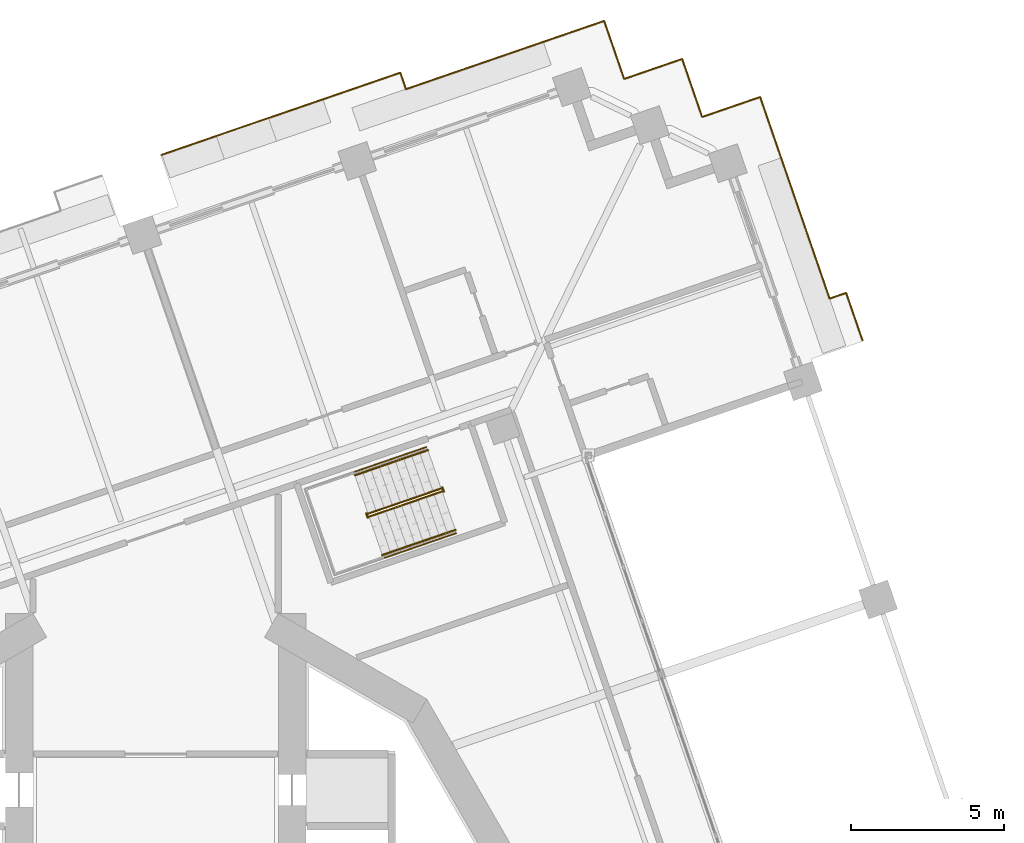
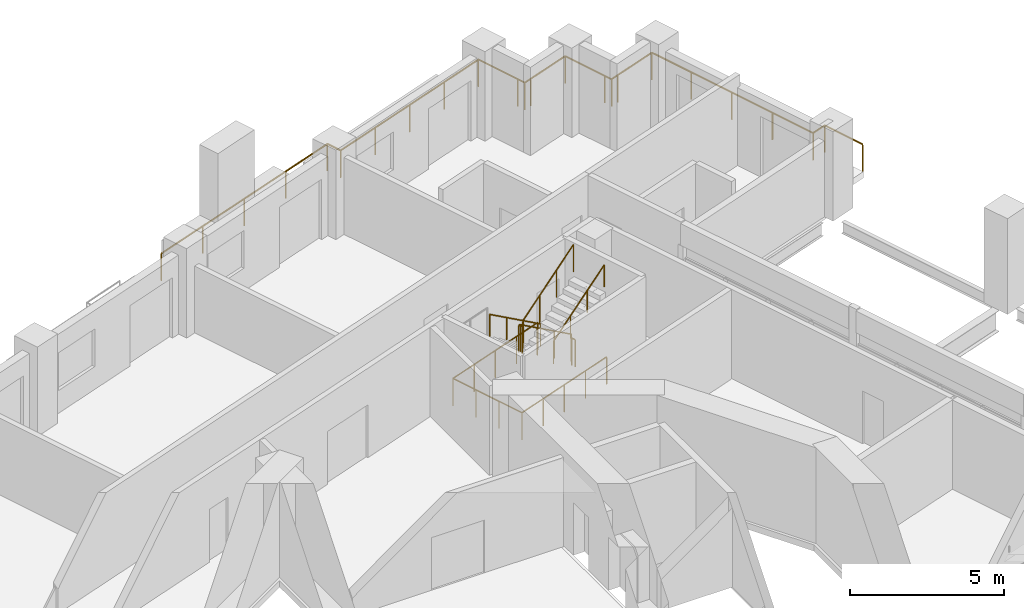
# One storey, part 18 of 19: 8 railings.
"""IFC4 building model written with IfcOpenShell, lengths in metres."""

import ifcopenshell
import ifcopenshell.guid

model = None  # the IFC model being written
_history = None  # IfcOwnerHistory: only IFC2X3 demands one
_inside = {}  # id of a spatial element -> (the spatial element, [elements in it])
_under = {}  # id of a project, library or spatial element -> (it, [spatial elements below it])
_declared = {}  # id of a project -> (the project, [libraries it declares])
_typed = {}  # id of a type object -> (the type object, [elements of that type])
_made_of = {}  # id of a material, layer set ... -> (it, [elements and type objects made of it])


def new_model(schema):
    """Start an empty IFC model of exactly this schema.

    Asked for "IFC4X3", IfcOpenShell would pick the latest addendum, in which some entities
    have other attributes; the version numbers below select the first issue.
    IFC2X3 requires an IfcOwnerHistory on every rooted entity: one is made here for all.
    """
    global model, _history
    if schema == "IFC4X3":
        model = ifcopenshell.file(schema_version=(4, 3, 0, 0))
    else:
        model = ifcopenshell.file(schema=schema)
    _inside.clear()
    _under.clear()
    _declared.clear()
    _typed.clear()
    _made_of.clear()
    _history = None
    if model.schema == "IFC2X3":
        org = make("IfcOrganization", Name="unknown")
        user = make(
            "IfcPersonAndOrganization",
            ThePerson=make("IfcPerson", FamilyName="unknown"),
            TheOrganization=org,
        )
        app = make(
            "IfcApplication",
            ApplicationDeveloper=org,
            Version="unknown",
            ApplicationFullName="unknown",
            ApplicationIdentifier="unknown",
        )
        _history = make(
            "IfcOwnerHistory",
            OwningUser=user,
            OwningApplication=app,
            ChangeAction="ADDED",
            CreationDate=0,
        )
    return model


def make(cls, **values):
    """One entity of the class cls with the attributes given. An attribute that is None is left unset."""
    return model.create_entity(
        cls, **{name: value for name, value in values.items() if value is not None}
    )


def rooted(cls, **values):
    """An entity with a GlobalId (a new one), such as an element, a storey or a relation."""
    return make(cls, GlobalId=ifcopenshell.guid.new(), OwnerHistory=_history, **values)


def si_unit(unit_type, name, prefix=None):
    """IfcSIUnit, for example si_unit("LENGTHUNIT", "METRE", prefix="MILLI")."""
    return make("IfcSIUnit", UnitType=unit_type, Prefix=prefix, Name=name)


def assignment(units):
    """IfcUnitAssignment: the units of a project."""
    return None if units is None else make("IfcUnitAssignment", Units=units)


def point(xyz):
    """IfcCartesianPoint."""
    return None if xyz is None else make("IfcCartesianPoint", Coordinates=xyz)


def direction(xyz):
    """IfcDirection."""
    return None if xyz is None else make("IfcDirection", DirectionRatios=xyz)


def frame(location, z_axis=None, x_axis=None):
    """IfcAxis2Placement3D, a coordinate frame: its origin and axes. An axis left out is left unset."""
    return make(
        "IfcAxis2Placement3D",
        Location=point(location),
        Axis=direction(z_axis),
        RefDirection=direction(x_axis),
    )


def frame_2d(location, x_axis=None):
    """IfcAxis2Placement2D, a coordinate frame in the plane: its origin and x axis."""
    return make(
        "IfcAxis2Placement2D", Location=point(location), RefDirection=direction(x_axis)
    )


def origin():
    """The frame at (0, 0, 0) with its axes left unset."""
    return frame((0.0, 0.0, 0.0))


def origin_2d():
    """The frame at (0, 0) in the plane with its x axis left unset."""
    return frame_2d((0.0, 0.0))


def place(relative_to, where):
    """IfcLocalPlacement: puts the frame where relative to a parent placement (None: the world)."""
    return make(
        "IfcLocalPlacement", PlacementRelTo=relative_to, RelativePlacement=where
    )


def context(
    kind, dimensions, precision=None, world=None, true_north=None, identifier=None
):
    """IfcGeometricRepresentationContext, for example the 3D "Model" context."""
    return make(
        "IfcGeometricRepresentationContext",
        ContextIdentifier=identifier,
        ContextType=kind,
        CoordinateSpaceDimension=dimensions,
        Precision=precision,
        WorldCoordinateSystem=world,
        TrueNorth=true_north,
    )


def subcontext(parent, identifier, kind, view, scale=None):
    """IfcGeometricRepresentationSubContext, for example "Body" below "Model"."""
    return make(
        "IfcGeometricRepresentationSubContext",
        ContextIdentifier=identifier,
        ContextType=kind,
        ParentContext=parent,
        TargetScale=scale,
        TargetView=view,
    )


def project(units=None, contexts=None):
    """IfcProject with its units and contexts."""
    return rooted(
        "IfcProject",
        Name="project",
        RepresentationContexts=contexts,
        UnitsInContext=assignment(units),
    )


def spatial(cls, under=None, at=None, **own):
    """A site, building, storey or space (cls), placed at a placement, below another one or the project."""
    s = rooted(cls, ObjectPlacement=at, **own)
    if under is not None:
        _under.setdefault(under.id(), (under, []))[1].append(s)
    return s


def profile(cls, at=None, kind="AREA", **sizes):
    """A parametric profile (cls). Its sizes go by their IFC names, for example OverallWidth=200.0."""
    return make(cls, ProfileType=kind, Position=at, **sizes)


def circle(**sizes):
    """IfcCircleProfileDef."""
    return profile("IfcCircleProfileDef", **sizes)


def extrude(swept, where, along, depth):
    """IfcExtrudedAreaSolid: the profile swept, set in the frame where, extruded along a direction by depth."""
    return make(
        "IfcExtrudedAreaSolid",
        SweptArea=swept,
        Position=where,
        ExtrudedDirection=direction(along),
        Depth=depth,
    )


def shape(context_of_items, identifier, shape_type, items):
    """IfcShapeRepresentation: the items that make up one representation, for example the "Body"."""
    return make(
        "IfcShapeRepresentation",
        ContextOfItems=context_of_items,
        RepresentationIdentifier=identifier,
        RepresentationType=shape_type,
        Items=items,
    )


def material(Name=None, Category=None):
    """IfcMaterial."""
    return make("IfcMaterial", Name=Name, Category=Category)


def made_of(thing, what):
    """Note that an element or type object is made of a material, layer set ...; save() writes the relation."""
    if what is not None:
        _made_of.setdefault(what.id(), (what, []))[1].append(thing)
    return thing


def type_object(cls, material=None, **own):
    """A type object (cls), such as IfcWallType, which elements share."""
    return made_of(rooted(cls, **own), material)


def element(
    cls,
    number,
    at=None,
    inside=None,
    cuts=None,
    type_object=None,
    material=None,
    context=None,
    identifier="Body",
    shape_type=None,
    held_by="IfcProductDefinitionShape",
    body=None,
    shapes=None,
    **own,
):
    """One element of the class cls, such as IfcWall. Its Tag is "e" and its number.

    at: its placement. inside: the storey or other place that contains it. cuts: it is an
    opening in that element (IfcRelVoidsElement). A single representation is given by context,
    identifier, shape_type and body (its items); several are given by shapes. held_by: the class
    of the entity that holds the representations. save() writes the other relations.
    """
    e = rooted(cls, Tag="e%d" % number, ObjectPlacement=at, **own)
    if body is not None:
        shapes = [shape(context, identifier, shape_type, body)]
    if shapes is not None:
        e.Representation = make(held_by, Representations=shapes)
    if inside is not None:
        _inside.setdefault(inside.id(), (inside, []))[1].append(e)
    if cuts is not None:
        rooted(
            "IfcRelVoidsElement", RelatingBuildingElement=cuts, RelatedOpeningElement=e
        )
    if type_object is not None:
        _typed.setdefault(type_object.id(), (type_object, []))[1].append(e)
    return made_of(e, material)


def aggregate(whole, parts):
    """IfcRelAggregates: a whole, such as a stair, and the parts it consists of."""
    return rooted("IfcRelAggregates", RelatingObject=whole, RelatedObjects=parts)


def save(model, path):
    """Write the relations noted so far, then the file.

    IfcRelAggregates (storeys below a building ...), IfcRelContainedInSpatialStructure (elements
    in a storey), IfcRelDefinesByType, IfcRelAssociatesMaterial and IfcRelDeclares: one each for
    every whole, place, type object, material and project.
    """
    for whole, parts in _under.values():
        aggregate(whole, parts)
    for where, things in _inside.values():
        rooted(
            "IfcRelContainedInSpatialStructure",
            RelatedElements=things,
            RelatingStructure=where,
        )
    for kind, things in _typed.values():
        rooted("IfcRelDefinesByType", RelatedObjects=things, RelatingType=kind)
    for what, things in _made_of.values():
        rooted("IfcRelAssociatesMaterial", RelatedObjects=things, RelatingMaterial=what)
    for by, libraries in _declared.values():
        rooted("IfcRelDeclares", RelatingContext=by, RelatedDefinitions=libraries)
    model.write(path)


model = new_model("IFC4")

# Units and contexts
model_context = context("Model", 3, precision=1e-05, world=origin(), true_north=direction((0.0, 1.0)))
body_context = subcontext(model_context, "Body", "Model", "MODEL_VIEW")
ifc_project = project(units=[si_unit("LENGTHUNIT", "METRE"), si_unit("AREAUNIT", "SQUARE_METRE"), si_unit("VOLUMEUNIT", "CUBIC_METRE"), si_unit("PLANEANGLEUNIT", "RADIAN"), si_unit("MASSUNIT", "GRAM", prefix="KILO")], contexts=[model_context])

# Site, building, storey
site_placement = place(None, origin())
site = spatial("IfcSite", under=ifc_project, at=site_placement, CompositionType="ELEMENT")
building_placement = place(site_placement, origin())
building = spatial("IfcBuilding", under=site, at=building_placement, Name="Cantera Rosa Tower", CompositionType="ELEMENT")
storey_placement = place(building_placement, frame((0.0, 0.0, 126.89990234375)))
storey = spatial("IfcBuildingStorey", under=building, at=storey_placement, Name="L26", CompositionType="ELEMENT", Elevation=126.89990234375)

# Railings
ifc_material_1 = material(Name="Stainless steel and laminated glass", Category="steel")
railing_type_1 = type_object("IfcRailingType", Name="GUARD 1100", PredefinedType="BALUSTRADE", material=ifc_material_1)
railing_1_placement = place(storey_placement, frame((19.705810546875, 28.466552734375, 0.0)))
element("IfcRailing", 1, at=railing_1_placement, inside=storey, type_object=railing_type_1, Name="GUARD L26-11", PredefinedType="BALUSTRADE", context=body_context, shape_type="SweptSolid", body=[
    extrude(circle(Radius=0.030029296875, at=origin_2d()), frame((0.0, 0.0, 1.070068359375), z_axis=(0.325561349174, -0.945520918819, 0.0), x_axis=(0.945520918819, 0.325561349174, 0.0)), (0.0, 0.0, 1.0), 1.699951171875),
    extrude(circle(Radius=0.030029296875, at=origin_2d()), frame((0.553466796875, -1.607421875, 1.070068359375), z_axis=(0.325547706926, -0.945525616002, 0.0), x_axis=(0.945525616002, 0.325547706926, 0.0)), (0.0, 0.0, 1.0), 5.248779296875),
    extrude(circle(Radius=0.030029296875, at=origin_2d()), frame((2.26220703125, -6.5703125, 1.070068359375), z_axis=(0.945518182111, 0.325569297229, 0.0), x_axis=(-0.325569297229, 0.945518182111, 0.0)), (0.0, 0.0, 1.0), 0.571533203125),
    extrude(circle(Radius=0.030029296875, at=origin_2d()), frame((2.802490234375, -6.38427734375, 1.070068359375), z_axis=(0.325495496573, -0.945543590593, 0.0), x_axis=(0.945543590593, 0.325495496573, 0.0)), (0.0, 0.0, 1.0), 1.64111328125),
    extrude(circle(Radius=0.02490234375, at=origin_2d()), origin(), (0.0, 0.0, 1.0), 1.0400390625),
    extrude(circle(Radius=0.02490234375, at=origin_2d()), frame((0.553466796875, -1.607421875, 0.0)), (0.0, 0.0, 1.0), 1.0400390625),
    extrude(circle(Radius=0.02490234375, at=origin_2d()), frame((1.123046875, -3.26171875, 0.0)), (0.0, 0.0, 1.0), 1.0400390625),
    extrude(circle(Radius=0.02490234375, at=origin_2d()), frame((1.692626953125, -4.916015625, 0.0)), (0.0, 0.0, 1.0), 1.0400390625),
    extrude(circle(Radius=0.02490234375, at=origin_2d()), frame((2.26220703125, -6.5703125, 0.0)), (0.0, 0.0, 1.0), 1.0400390625),
    extrude(circle(Radius=0.02490234375, at=origin_2d()), frame((2.802490234375, -6.38427734375, 0.0)), (0.0, 0.0, 1.0), 1.0400390625),
    extrude(circle(Radius=0.02490234375, at=origin_2d()), frame((3.336669921875, -7.93603515625, 0.0)), (0.0, 0.0, 1.0), 1.0400390625),
])
railing_2_placement = place(storey_placement, frame((0.187255859375, 26.57763671875, 0.0)))
element("IfcRailing", 2, at=railing_2_placement, inside=storey, type_object=railing_type_1, Name="GUARD L26-12", PredefinedType="BALUSTRADE", context=body_context, shape_type="SweptSolid", body=[
    extrude(circle(Radius=0.030029296875, at=origin_2d()), frame((0.0, 0.0, 1.070068359375), z_axis=(0.945522782274, 0.325555937132, 0.0), x_axis=(-0.325555937132, 0.945522782274, 0.0)), (0.0, 0.0, 1.0), 8.238525390625),
    extrude(circle(Radius=0.030029296875, at=origin_2d()), frame((7.789794921875, 2.68212890625, 1.070068359375), z_axis=(0.325871596129, -0.945414037782, 0.0), x_axis=(0.945414037782, 0.325871596129, 0.0)), (0.0, 0.0, 1.0), 0.568603515625),
    extrude(circle(Radius=0.030029296875, at=origin_2d()), frame((7.97509765625, 2.14453125, 1.070068359375), z_axis=(0.945515978241, 0.325575697635, 0.0), x_axis=(-0.325575697635, 0.945515978241, 0.0)), (0.0, 0.0, 1.0), 5.13134765625),
    extrude(circle(Radius=0.030029296875, at=origin_2d()), frame((12.826904296875, 3.815185546875, 1.070068359375), z_axis=(0.945520918819, 0.325561349174, 0.0), x_axis=(-0.325561349174, 0.945520918819, 0.0)), (0.0, 0.0, 1.0), 1.699951171875),
    extrude(circle(Radius=0.030029296875, at=origin_2d()), frame((14.434326171875, 4.36865234375, 1.070068359375), z_axis=(0.325561349174, -0.945520918819, 0.0), x_axis=(0.945520918819, 0.325561349174, 0.0)), (0.0, 0.0, 1.0), 1.699951171875),
    extrude(circle(Radius=0.030029296875, at=origin_2d()), frame((14.98779296875, 2.76123046875, 1.070068359375), z_axis=(0.325489086777, -0.945545797087, 0.0), x_axis=(0.945545797087, 0.325489086777, 0.0)), (0.0, 0.0, 1.0), 0.300048828125),
    extrude(circle(Radius=0.030029296875, at=origin_2d()), frame((15.08544921875, 2.4775390625, 1.070068359375), z_axis=(0.945459489149, 0.325739703411, 0.0), x_axis=(-0.325739703411, 0.945459489149, 0.0)), (0.0, 0.0, 1.0), 0.2998046875),
    extrude(circle(Radius=0.030029296875, at=origin_2d()), frame((15.368896484375, 2.5751953125, 1.070068359375), z_axis=(0.945520918819, 0.325561349174, 0.0), x_axis=(-0.325561349174, 0.945520918819, 0.0)), (0.0, 0.0, 1.0), 1.699951171875),
    extrude(circle(Radius=0.030029296875, at=origin_2d()), frame((16.976318359375, 3.128662109375, 1.070068359375), z_axis=(0.325605561237, -0.945505694584, 0.0), x_axis=(0.945505694584, 0.325605561237, 0.0)), (0.0, 0.0, 1.0), 1.69970703125),
    extrude(circle(Radius=0.030029296875, at=origin_2d()), frame((17.52978515625, 1.521484375, 1.070068359375), z_axis=(0.325489086777, -0.945545797087, 0.0), x_axis=(0.945545797087, 0.325489086777, 0.0)), (0.0, 0.0, 1.0), 0.300048828125),
    extrude(circle(Radius=0.030029296875, at=origin_2d()), frame((17.62744140625, 1.23779296875, 1.070068359375), z_axis=(0.945545797087, 0.325489086777, 0.0), x_axis=(-0.325489086777, 0.945545797087, 0.0)), (0.0, 0.0, 1.0), 0.300048828125),
    extrude(circle(Radius=0.030029296875, at=origin_2d()), frame((17.9111328125, 1.33544921875, 1.070068359375), z_axis=(0.945520918819, 0.325561349174, 0.0), x_axis=(-0.325561349174, 0.945520918819, 0.0)), (0.0, 0.0, 1.0), 1.699951171875),
    extrude(circle(Radius=0.02490234375, at=origin_2d()), origin(), (0.0, 0.0, 1.0), 1.0400390625),
    extrude(circle(Radius=0.02490234375, at=origin_2d()), frame((1.947509765625, 0.67041015625, 0.0)), (0.0, 0.0, 1.0), 1.0400390625),
    extrude(circle(Radius=0.02490234375, at=origin_2d()), frame((3.89501953125, 1.341064453125, 0.0)), (0.0, 0.0, 1.0), 1.0400390625),
    extrude(circle(Radius=0.02490234375, at=origin_2d()), frame((5.84228515625, 2.01171875, 0.0)), (0.0, 0.0, 1.0), 1.0400390625),
    extrude(circle(Radius=0.02490234375, at=origin_2d()), frame((7.789794921875, 2.68212890625, 0.0)), (0.0, 0.0, 1.0), 1.0400390625),
    extrude(circle(Radius=0.02490234375, at=origin_2d()), frame((7.97509765625, 2.14453125, 0.0)), (0.0, 0.0, 1.0), 1.0400390625),
    extrude(circle(Radius=0.02490234375, at=origin_2d()), frame((9.59228515625, 2.701416015625, 0.0)), (0.0, 0.0, 1.0), 1.0400390625),
    extrude(circle(Radius=0.02490234375, at=origin_2d()), frame((11.209716796875, 3.25830078125, 0.0)), (0.0, 0.0, 1.0), 1.0400390625),
    extrude(circle(Radius=0.02490234375, at=origin_2d()), frame((12.826904296875, 3.815185546875, 0.0)), (0.0, 0.0, 1.0), 1.0400390625),
    extrude(circle(Radius=0.02490234375, at=origin_2d()), frame((14.434326171875, 4.36865234375, 0.0)), (0.0, 0.0, 1.0), 1.0400390625),
    extrude(circle(Radius=0.02490234375, at=origin_2d()), frame((14.98779296875, 2.76123046875, 0.0)), (0.0, 0.0, 1.0), 1.0400390625),
    extrude(circle(Radius=0.02490234375, at=origin_2d()), frame((15.08544921875, 2.4775390625, 0.0)), (0.0, 0.0, 1.0), 1.0400390625),
    extrude(circle(Radius=0.02490234375, at=origin_2d()), frame((15.368896484375, 2.5751953125, 0.0)), (0.0, 0.0, 1.0), 1.0400390625),
    extrude(circle(Radius=0.02490234375, at=origin_2d()), frame((16.976318359375, 3.128662109375, 0.0)), (0.0, 0.0, 1.0), 1.0400390625),
    extrude(circle(Radius=0.02490234375, at=origin_2d()), frame((17.52978515625, 1.521484375, 0.0)), (0.0, 0.0, 1.0), 1.0400390625),
    extrude(circle(Radius=0.02490234375, at=origin_2d()), frame((17.62744140625, 1.23779296875, 0.0)), (0.0, 0.0, 1.0), 1.0400390625),
    extrude(circle(Radius=0.02490234375, at=origin_2d()), frame((17.9111328125, 1.33544921875, 0.0)), (0.0, 0.0, 1.0), 1.0400390625),
    extrude(circle(Radius=0.02490234375, at=origin_2d()), frame((19.5185546875, 1.888916015625, 0.0)), (0.0, 0.0, 1.0), 1.0400390625),
])
ifc_material_2 = material(Name="Steel S355J2 (EN 10025-2)", Category="steel")
railing_type_2 = type_object("IfcRailingType", Name="STAIR GUARD 1100", PredefinedType="GUARDRAIL", material=ifc_material_2)
railing_3_placement = place(storey_placement, frame((9.307861328125, 15.7021484375, 0.190185546875)))
element("IfcRailing", 3, at=railing_3_placement, inside=storey, type_object=railing_type_2, Name="L26 ST-21 stair guard 1", PredefinedType="GUARDRAIL", context=body_context, shape_type="SweptSolid", body=[
    extrude(circle(Radius=0.02392578125, at=origin_2d()), frame((0.0, 0.0, 1.076171875), z_axis=(-0.782404165978, -0.269432418223, 0.561471186323), x_axis=(0.325599548996, -0.94550776501, 0.0)), (0.0, 0.0, 1.0), 3.04541015625),
    extrude(circle(Radius=0.02392578125, at=origin_2d()), frame((-2.3828125, -0.820556640625, 2.7861328125), z_axis=(-0.989063265047, 0.147491890402, 0.0), x_axis=(-0.147491890402, -0.989063265047, 0.0)), (0.0, 0.0, 1.0), 0.056396484375),
    extrude(circle(Radius=0.02392578125, at=origin_2d()), frame((-2.4384765625, -0.812255859375, 2.7861328125), z_axis=(0.325990683319, -0.945372981626, 0.0), x_axis=(0.945372981626, 0.325990683319, 0.0)), (0.0, 0.0, 1.0), 0.14990234375),
    extrude(circle(Radius=0.02099609375, at=origin_2d()), origin(), (0.0, 0.0, 1.0), 1.052001953125),
    extrude(circle(Radius=0.02099609375, at=origin_2d()), frame((-0.794189453125, -0.2734375, 0.570068359375)), (0.0, 0.0, 1.0), 1.052001953125),
    extrude(circle(Radius=0.02099609375, at=origin_2d()), frame((-1.588623046875, -0.547119140625, 1.139892578125)), (0.0, 0.0, 1.0), 1.052001953125),
    extrude(circle(Radius=0.02099609375, at=origin_2d()), frame((-2.3828125, -0.820556640625, 1.7099609375)), (0.0, 0.0, 1.0), 1.052001953125),
    extrude(circle(Radius=0.02099609375, at=origin_2d()), frame((-2.4384765625, -0.812255859375, 1.7099609375)), (0.0, 0.0, 1.0), 1.052001953125),
    extrude(circle(Radius=0.02099609375, at=origin_2d()), frame((-2.3896484375, -0.953857421875, 1.7099609375)), (0.0, 0.0, 1.0), 1.052001953125),
])
railing_4_placement = place(storey_placement, frame((6.95703125, 14.7890625, 2.090087890625)))
element("IfcRailing", 4, at=railing_4_placement, inside=storey, type_object=railing_type_2, Name="L26 ST-21 stair guard 2", PredefinedType="GUARDRAIL", context=body_context, shape_type="SweptSolid", body=[
    extrude(circle(Radius=0.02392578125, at=origin_2d()), frame((0.0, 0.0, 1.076171875), z_axis=(0.782389970342, 0.269374966733, 0.561518531845), x_axis=(-0.325542759796, 0.945527319301, 0.0)), (0.0, 0.0, 1.0), 3.045166015625),
    extrude(circle(Radius=0.02099609375, at=origin_2d()), origin(), (0.0, 0.0, 1.0), 1.052001953125),
    extrude(circle(Radius=0.02099609375, at=origin_2d()), frame((0.794189453125, 0.2734375, 0.570068359375)), (0.0, 0.0, 1.0), 1.052001953125),
    extrude(circle(Radius=0.02099609375, at=origin_2d()), frame((1.58837890625, 0.546875, 1.139892578125)), (0.0, 0.0, 1.0), 1.052001953125),
    extrude(circle(Radius=0.02099609375, at=origin_2d()), frame((2.382568359375, 0.8203125, 1.7099609375)), (0.0, 0.0, 1.0), 1.052001953125),
])
railing_5_placement = place(storey_placement, frame((9.3466796875, 15.742919921875, 0.0)))
element("IfcRailing", 5, at=railing_5_placement, inside=storey, type_object=railing_type_2, Name="L26 ST-21 stair guard 3", PredefinedType="GUARDRAIL", context=body_context, shape_type="SweptSolid", body=[
    extrude(circle(Radius=0.02392578125, at=origin_2d()), frame((0.0, 0.0, 1.076171875), z_axis=(0.325489086777, -0.945545797087, 0.0), x_axis=(0.945545797087, 0.325489086777, 0.0)), (0.0, 0.0, 1.0), 0.14990234375),
    extrude(circle(Radius=0.02099609375, at=origin_2d()), origin(), (0.0, 0.0, 1.0), 1.052001953125),
    extrude(circle(Radius=0.02099609375, at=origin_2d()), frame((0.048828125, -0.141845703125, 0.0)), (0.0, 0.0, 1.0), 1.052001953125),
])
railing_6_placement = place(storey_placement, frame((8.828857421875, 17.055908203125, 0.0)))
element("IfcRailing", 6, at=railing_6_placement, inside=storey, type_object=railing_type_2, Name="L26 ST-21 stair guard 4", PredefinedType="GUARDRAIL", context=body_context, shape_type="SweptSolid", body=[
    extrude(circle(Radius=0.02392578125, at=origin_2d()), frame((0.0, 0.0, 1.076171875), z_axis=(-0.945519978022, -0.325564081496, 0.0), x_axis=(0.325564081496, -0.945519978022, 0.0)), (0.0, 0.0, 1.0), 4.197998046875),
    extrude(circle(Radius=0.02392578125, at=origin_2d()), frame((-3.96923828125, -1.36669921875, 1.076171875), z_axis=(0.325608117645, -0.945504814226, 0.0), x_axis=(0.945504814226, 0.325608117645, 0.0)), (0.0, 0.0, 1.0), 2.969970703125),
    extrude(circle(Radius=0.02392578125, at=origin_2d()), frame((-3.002197265625, -4.1748046875, 1.076171875), z_axis=(0.945519978022, 0.325564081496, 0.0), x_axis=(-0.325564081496, 0.945519978022, 0.0)), (0.0, 0.0, 1.0), 4.197998046875),
    extrude(circle(Radius=0.02099609375, at=origin_2d()), origin(), (0.0, 0.0, 1.0), 1.052001953125),
    extrude(circle(Radius=0.02099609375, at=origin_2d()), frame((-0.9921875, -0.341796875, 0.0)), (0.0, 0.0, 1.0), 1.052001953125),
    extrude(circle(Radius=0.02099609375, at=origin_2d()), frame((-1.984619140625, -0.683349609375, 0.0)), (0.0, 0.0, 1.0), 1.052001953125),
    extrude(circle(Radius=0.02099609375, at=origin_2d()), frame((-2.97705078125, -1.02490234375, 0.0)), (0.0, 0.0, 1.0), 1.052001953125),
    extrude(circle(Radius=0.02099609375, at=origin_2d()), frame((-3.96923828125, -1.36669921875, 0.0)), (0.0, 0.0, 1.0), 1.052001953125),
    extrude(circle(Radius=0.02099609375, at=origin_2d()), frame((-3.64697265625, -2.302734375, 0.0)), (0.0, 0.0, 1.0), 1.052001953125),
    extrude(circle(Radius=0.02099609375, at=origin_2d()), frame((-3.324462890625, -3.23876953125, 0.0)), (0.0, 0.0, 1.0), 1.052001953125),
    extrude(circle(Radius=0.02099609375, at=origin_2d()), frame((-3.002197265625, -4.1748046875, 0.0)), (0.0, 0.0, 1.0), 1.052001953125),
    extrude(circle(Radius=0.02099609375, at=origin_2d()), frame((-2.009765625, -3.8330078125, 0.0)), (0.0, 0.0, 1.0), 1.052001953125),
    extrude(circle(Radius=0.02099609375, at=origin_2d()), frame((-1.017578125, -3.491455078125, 0.0)), (0.0, 0.0, 1.0), 1.052001953125),
    extrude(circle(Radius=0.02099609375, at=origin_2d()), frame((-0.025390625, -3.14990234375, 0.0)), (0.0, 0.0, 1.0), 1.052001953125),
    extrude(circle(Radius=0.02099609375, at=origin_2d()), frame((0.967041015625, -2.80810546875, 0.0)), (0.0, 0.0, 1.0), 1.052001953125),
])
ifc_material_3 = material(Name="Steel S355J2 (EN 10025-2)", Category="steel")
railing_type_3 = type_object("IfcRailingType", Name="STAIR HANDRAIL 900", PredefinedType="HANDRAIL", material=ifc_material_3)
railing_7_placement = place(storey_placement, frame((8.8759765625, 16.955810546875, 0.190185546875)))
element("IfcRailing", 7, at=railing_7_placement, inside=storey, type_object=railing_type_3, Name="L26 ST-21 stair handrail 1", PredefinedType="HANDRAIL", context=body_context, shape_type="SweptSolid", body=[
    extrude(circle(Radius=0.02392578125, at=origin_2d()), frame((0.0, 0.0, 0.8759765625), z_axis=(-0.782389970342, -0.269374966733, 0.561518531845), x_axis=(0.325542759796, -0.945527319301, 0.0)), (0.0, 0.0, 1.0), 3.045166015625),
    extrude(circle(Radius=0.02099609375, at=origin_2d()), origin(), (0.0, 0.0, 1.0), 0.851806640625),
    extrude(circle(Radius=0.02099609375, at=origin_2d()), frame((-0.794189453125, -0.2734375, 0.570068359375)), (0.0, 0.0, 1.0), 0.851806640625),
    extrude(circle(Radius=0.02099609375, at=origin_2d()), frame((-1.58837890625, -0.546875, 1.139892578125)), (0.0, 0.0, 1.0), 0.851806640625),
    extrude(circle(Radius=0.02099609375, at=origin_2d()), frame((-2.382568359375, -0.8203125, 1.7099609375)), (0.0, 0.0, 1.0), 0.851806640625),
])
railing_8_placement = place(storey_placement, frame((7.388671875, 13.53515625, 2.090087890625)))
element("IfcRailing", 8, at=railing_8_placement, inside=storey, type_object=railing_type_3, Name="L26 ST-21 stair handrail 2", PredefinedType="HANDRAIL", context=body_context, shape_type="SweptSolid", body=[
    extrude(circle(Radius=0.02392578125, at=origin_2d()), frame((0.0, 0.0, 0.8759765625), z_axis=(0.782404165978, 0.269432418223, 0.561471186323), x_axis=(-0.325599548996, 0.94550776501, 0.0)), (0.0, 0.0, 1.0), 3.04541015625),
    extrude(circle(Radius=0.02099609375, at=origin_2d()), origin(), (0.0, 0.0, 1.0), 0.851806640625),
    extrude(circle(Radius=0.02099609375, at=origin_2d()), frame((0.794189453125, 0.2734375, 0.570068359375)), (0.0, 0.0, 1.0), 0.851806640625),
    extrude(circle(Radius=0.02099609375, at=origin_2d()), frame((1.588623046875, 0.547119140625, 1.139892578125)), (0.0, 0.0, 1.0), 0.851806640625),
    extrude(circle(Radius=0.02099609375, at=origin_2d()), frame((2.3828125, 0.820556640625, 1.7099609375)), (0.0, 0.0, 1.0), 0.851806640625),
])

save(model, "model.ifc")
